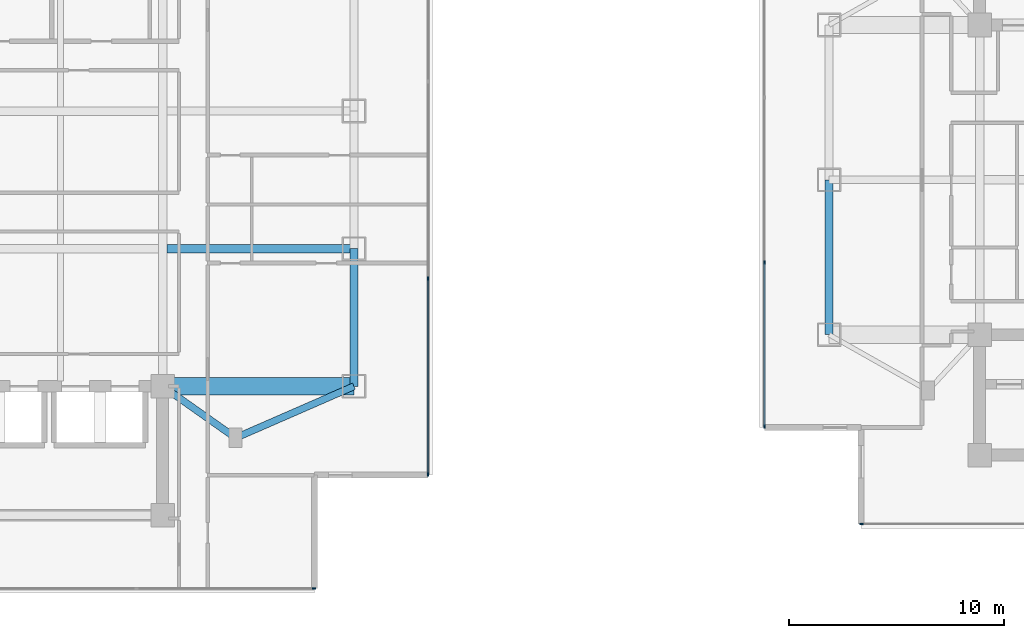
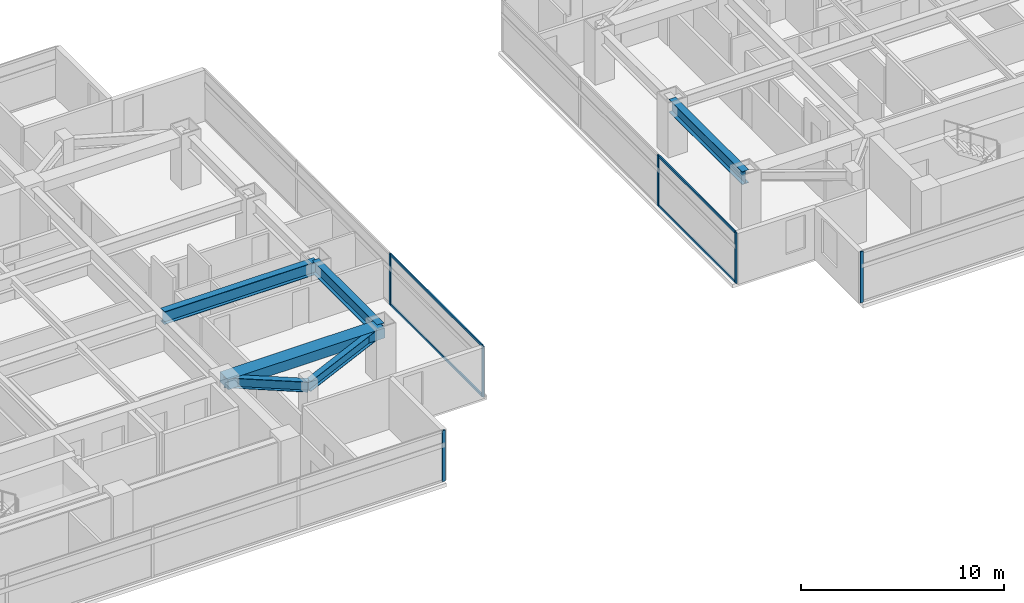
# One storey, part 5 of 24: 10 members, 6 beams, 4 elements without a shape of their own.
"""IFC4 building model written with IfcOpenShell, lengths in metres."""

from ifc_helpers import new_model, si_unit, direction, frame, origin, origin_2d, place, context, subcontext, project, spatial, rectangle, i_section, extrude, material, material_profile, profile_set, type_object, element, aggregate, save


model = new_model("IFC4")

# Units and contexts
model_context = context("Model", 3, precision=1e-05, world=origin(), true_north=direction((0.0, 1.0)))
body_context = subcontext(model_context, "Body", "Model", "MODEL_VIEW")
ifc_project = project(units=[si_unit("LENGTHUNIT", "METRE"), si_unit("AREAUNIT", "SQUARE_METRE"), si_unit("VOLUMEUNIT", "CUBIC_METRE"), si_unit("PLANEANGLEUNIT", "RADIAN"), si_unit("MASSUNIT", "GRAM", prefix="KILO")], contexts=[model_context])

# Site, building, storey
site_placement = place(None, origin())
site = spatial("IfcSite", under=ifc_project, at=site_placement, CompositionType="ELEMENT")
building_placement = place(site_placement, origin())
building = spatial("IfcBuilding", under=site, at=building_placement, Name="Mirazonda Arch Towers", CompositionType="ELEMENT")
storey_placement = place(building_placement, frame((0.0, 0.0, 141.199951171875)))
storey = spatial("IfcBuildingStorey", under=building, at=storey_placement, Name="L40", CompositionType="ELEMENT", Elevation=141.199951171875)

# Beams
ifc_material_1 = material(Name="Steel ASTM A992 Grade 50", Category="steel")
ifc_material_profile_1 = material_profile(ifc_material_1, i_section(OverallWidth=0.381103515625, OverallDepth=0.77294921875, WebThickness=0.0166015625, FlangeThickness=0.027099609375, at=origin_2d()), Name="W30X173")
ifc_profile_set_1 = profile_set([ifc_material_profile_1], Name="Steel ASTM A992 Grade 50")
beam_type_1 = type_object("IfcBeamType", Name="BM-EXT-W30X173", PredefinedType="USERDEFINED", material=ifc_profile_set_1)
beam_1_placement = place(storey_placement, frame((38.89990234375, 18.39990234375, 2.693603515625), z_axis=(0.0, 1.0, 0.0), x_axis=(-1.0, 0.0, 0.0)))
element("IfcBeam", 1, at=beam_1_placement, inside=storey, type_object=beam_type_1, Name="L40 Floor Beam BM-T1-L40-NS-E-18", ObjectType="GIRDER", PredefinedType="USERDEFINED", context=body_context, shape_type="SweptSolid", body=[
    extrude(i_section(OverallWidth=0.381103515625, OverallDepth=0.77294921875, WebThickness=0.0166015625, FlangeThickness=0.027099609375, at=origin_2d()), origin(), (0.0, 0.0, 1.0), 6.400146484375),
])
beam_2_placement = place(storey_placement, frame((61.0, 20.800048828125, 2.693603515625), z_axis=(0.0, 1.0, 0.0), x_axis=(-1.0, 0.0, 0.0)))
element("IfcBeam", 2, at=beam_2_placement, inside=storey, type_object=beam_type_1, Name="L40 Floor Beam BM-T2-L40-NS-W-20", ObjectType="GIRDER", PredefinedType="USERDEFINED", context=body_context, shape_type="SweptSolid", body=[
    extrude(i_section(OverallWidth=0.381103515625, OverallDepth=0.77294921875, WebThickness=0.0166015625, FlangeThickness=0.027099609375, at=origin_2d()), origin(), (0.0, 0.0, 1.0), 7.199951171875),
])
ifc_material_profile_2 = material_profile(ifc_material_1, i_section(OverallWidth=0.324951171875, OverallDepth=0.615966796875, WebThickness=0.013916015625, FlangeThickness=0.021484375, at=origin_2d()), Name="W24X117")
ifc_profile_set_2 = profile_set([ifc_material_profile_2], Name="Steel ASTM A992 Grade 50")
beam_type_2 = type_object("IfcBeamType", Name="BM-INT-W24X117", PredefinedType="BEAM", material=ifc_profile_set_2)
beam_3_placement = place(storey_placement, frame((33.39990234375, 16.0, 2.77197265625), z_axis=(-0.816971114901, 0.576678591087, 0.0), x_axis=(-0.576678591087, -0.816971114901, 0.0)))
element("IfcBeam", 3, at=beam_3_placement, inside=storey, type_object=beam_type_2, Name="L40 Floor Beam BM-T1-L40-PL-SE1", PredefinedType="BEAM", context=body_context, shape_type="SweptSolid", body=[
    extrude(i_section(OverallWidth=0.324951171875, OverallDepth=0.615966796875, WebThickness=0.013916015625, FlangeThickness=0.021484375, at=origin_2d()), origin(), (0.0, 0.0, 1.0), 4.16162109375),
])
beam_4_placement = place(storey_placement, frame((33.39990234375, 16.0, 2.77197265625), z_axis=(0.916545343703, 0.399930785183, 0.0), x_axis=(-0.399930785183, 0.916545343703, 0.0)))
element("IfcBeam", 4, at=beam_4_placement, inside=storey, type_object=beam_type_2, Name="L40 Floor Beam BM-T1-L40-PL-SE2", PredefinedType="BEAM", context=body_context, shape_type="SweptSolid", body=[
    extrude(i_section(OverallWidth=0.324951171875, OverallDepth=0.615966796875, WebThickness=0.013916015625, FlangeThickness=0.021484375, at=origin_2d()), origin(), (0.0, 0.0, 1.0), 6.000732421875),
])
ifc_material_profile_3 = material_profile(ifc_material_1, i_section(OverallWidth=0.381103515625, OverallDepth=0.77294921875, WebThickness=0.0166015625, FlangeThickness=0.027099609375, at=origin_2d()), Name="W30X173")
ifc_profile_set_3 = profile_set([ifc_material_profile_3], Name="Steel ASTM A992 Grade 50")
beam_type_3 = type_object("IfcBeamType", Name="BM-INT-W30X173", PredefinedType="USERDEFINED", material=ifc_profile_set_3)
beam_5_placement = place(storey_placement, frame((30.199951171875, 24.800048828125, 2.693603515625), z_axis=(1.0, 0.0, 0.0), x_axis=(0.0, 1.0, 0.0)))
element("IfcBeam", 5, at=beam_5_placement, inside=storey, type_object=beam_type_3, Name="L40 Floor Beam BM-T1-L40-GE2", ObjectType="GIRDER", PredefinedType="USERDEFINED", context=body_context, shape_type="SweptSolid", body=[
    extrude(i_section(OverallWidth=0.381103515625, OverallDepth=0.77294921875, WebThickness=0.0166015625, FlangeThickness=0.027099609375, at=origin_2d()), origin(), (0.0, 0.0, 1.0), 8.699951171875),
])
ifc_material_2 = material(Name="Concrete C60/75", Category="concrete")
ifc_material_profile_4 = material_profile(ifc_material_2, rectangle(XDim=0.800048828125, YDim=0.60009765625, at=origin_2d()), Name="RCCB800x600")
ifc_profile_set_4 = profile_set([ifc_material_profile_4], Name="Concrete C60/75")
beam_type_4 = type_object("IfcBeamType", Name="CB-INT-RCCB800x600", PredefinedType="SPANDREL", material=ifc_profile_set_4)
beam_6_placement = place(storey_placement, frame((30.0, 18.39990234375, 2.780029296875), z_axis=(1.0, 0.0, 0.0), x_axis=(0.0, 1.0, 0.0)))
element("IfcBeam", 6, at=beam_6_placement, inside=storey, type_object=beam_type_4, Name="L40 Floor Beam CBC-T1-L40-SE", PredefinedType="SPANDREL", context=body_context, shape_type="SweptSolid", body=[
    extrude(rectangle(XDim=0.800048828125, YDim=0.60009765625, at=origin_2d()), origin(), (0.0, 0.0, 1.0), 8.89990234375),
])

# Curtain wall, member
ifc_material_3 = material(Name="Anodised Aluminium and Low-E Glass", Category="aluminium")
curtain_wall_type = type_object("IfcCurtainWallType", Name="CW-HTL-UNIT", PredefinedType="NOTDEFINED", material=ifc_material_3)
curtain_wall_1_placement = place(storey_placement, origin())
curtain_wall_1 = element("IfcCurtainWall", 7, at=curtain_wall_1_placement, inside=storey, type_object=curtain_wall_type, Name="L40 T1 S Facade CW-L40-T1-S", PredefinedType="NOTDEFINED")
ifc_material_4 = material(Name="Anodised Aluminium Alloy", Category="aluminium")
ifc_material_profile_5 = material_profile(ifc_material_4, rectangle(XDim=0.074951171875, YDim=0.1650390625, at=origin_2d()), Name="ALU-MULL-75x165")
ifc_profile_set_5 = profile_set([ifc_material_profile_5], Name="Anodised Aluminium Alloy")
member_type_1 = type_object("IfcMemberType", Name="MULL-CW-HTL-UNIT", PredefinedType="MULLION", material=ifc_profile_set_5)
member_1_placement = place(storey_placement, frame((37.032470703125, 8.993896484375, 0.0), z_axis=(0.0, 0.0, 1.0), x_axis=(0.0, -1.0, 0.0)))
member_1 = element("IfcMember", 8, at=member_1_placement, type_object=member_type_1, Name="CW-112 mullion 1", PredefinedType="MULLION", context=body_context, shape_type="SweptSolid", body=[
    extrude(rectangle(XDim=0.074951171875, YDim=0.1650390625, at=origin_2d()), origin(), (0.0, 0.0, 1.0), 3.06005859375),
])
aggregate(curtain_wall_1, [member_1])

# Curtain wall, members
curtain_wall_2_placement = place(storey_placement, origin())
curtain_wall_2 = element("IfcCurtainWall", 9, at=curtain_wall_2_placement, inside=storey, type_object=curtain_wall_type, Name="L40 T1 E Facade CW-L40-T1-E", PredefinedType="NOTDEFINED")
member_2_placement = place(storey_placement, frame((42.340087890625, 14.301513671875, 0.0), z_axis=(0.0, 0.0, 1.0), x_axis=(-1.0, 0.0, 0.0)))
member_2 = element("IfcMember", 10, at=member_2_placement, type_object=member_type_1, Name="CW-112 mullion 1", PredefinedType="MULLION", context=body_context, shape_type="SweptSolid", body=[
    extrude(rectangle(XDim=0.074951171875, YDim=0.1650390625, at=origin_2d()), origin(), (0.0, 0.0, 1.0), 3.06005859375),
])
member_3_placement = place(storey_placement, frame((42.340087890625, 23.42138671875, 0.0), z_axis=(0.0, 0.0, 1.0), x_axis=(-1.0, 0.0, 0.0)))
member_3 = element("IfcMember", 11, at=member_3_placement, type_object=member_type_1, Name="CW-112 mullion 2", PredefinedType="MULLION", context=body_context, shape_type="SweptSolid", body=[
    extrude(rectangle(XDim=0.074951171875, YDim=0.1650390625, at=origin_2d()), origin(), (0.0, 0.0, 1.0), 3.06005859375),
])

# Curtain wall, member
curtain_wall_3_placement = place(storey_placement, origin())
curtain_wall_3 = element("IfcCurtainWall", 12, at=curtain_wall_3_placement, inside=storey, type_object=curtain_wall_type, Name="L40 T2 S Facade CW-L40-T2-S", PredefinedType="NOTDEFINED")
member_4_placement = place(storey_placement, frame((62.512939453125, 11.997802734375, 0.0), z_axis=(0.0, 0.0, 1.0), x_axis=(0.0, -1.0, 0.0)))
member_4 = element("IfcMember", 13, at=member_4_placement, type_object=member_type_1, Name="CW-112 mullion 4", PredefinedType="MULLION", context=body_context, shape_type="SweptSolid", body=[
    extrude(rectangle(XDim=0.074951171875, YDim=0.1650390625, at=origin_2d()), origin(), (0.0, 0.0, 1.0), 3.06005859375),
])
aggregate(curtain_wall_3, [member_4])

# Curtain wall, members
curtain_wall_4_placement = place(storey_placement, origin())
curtain_wall_4 = element("IfcCurtainWall", 14, at=curtain_wall_4_placement, inside=storey, type_object=curtain_wall_type, Name="L40 T2 W Facade CW-L40-T2-W", PredefinedType="NOTDEFINED")
member_5_placement = place(storey_placement, frame((57.989013671875, 24.161376953125, 0.0), z_axis=(0.0, 0.0, 1.0), x_axis=(1.0, 0.0, 0.0)))
member_5 = element("IfcMember", 15, at=member_5_placement, type_object=member_type_1, Name="CW-112 mullion 3", PredefinedType="MULLION", context=body_context, shape_type="SweptSolid", body=[
    extrude(rectangle(XDim=0.074951171875, YDim=0.1650390625, at=origin_2d()), origin(), (0.0, 0.0, 1.0), 3.06005859375),
])
member_6_placement = place(storey_placement, frame((57.989013671875, 16.52197265625, 0.0), z_axis=(0.0, 0.0, 1.0), x_axis=(1.0, 0.0, 0.0)))
member_6 = element("IfcMember", 16, at=member_6_placement, type_object=member_type_1, Name="CW-112 mullion 4", PredefinedType="MULLION", context=body_context, shape_type="SweptSolid", body=[
    extrude(rectangle(XDim=0.074951171875, YDim=0.1650390625, at=origin_2d()), origin(), (0.0, 0.0, 1.0), 3.06005859375),
])

# Member
ifc_material_profile_6 = material_profile(ifc_material_4, rectangle(XDim=0.074951171875, YDim=0.14501953125, at=origin_2d()), Name="ALU-TRAN-75x145")
ifc_profile_set_6 = profile_set([ifc_material_profile_6], Name="Anodised Aluminium Alloy")
member_type_2 = type_object("IfcMemberType", Name="TRAN-CW-HTL-UNIT", PredefinedType="USERDEFINED", material=ifc_profile_set_6)
member_7_placement = place(storey_placement, frame((42.340087890625, 14.339111328125, 0.03759765625), z_axis=(0.0, 1.0, 0.0), x_axis=(-1.0, 0.0, 0.0)))
member_7 = element("IfcMember", 17, at=member_7_placement, type_object=member_type_2, Name="CW-112 transom 1.1", ObjectType="TRANSOM", PredefinedType="USERDEFINED", context=body_context, shape_type="SweptSolid", body=[
    extrude(rectangle(XDim=0.074951171875, YDim=0.14501953125, at=origin_2d()), origin(), (0.0, 0.0, 1.0), 9.044677734375),
])

member_8_placement = place(storey_placement, frame((42.340087890625, 14.339111328125, 3.0224609375), z_axis=(0.0, 1.0, 0.0), x_axis=(-1.0, 0.0, 0.0)))
member_8 = element("IfcMember", 18, at=member_8_placement, type_object=member_type_2, Name="CW-112 transom 1.2", ObjectType="TRANSOM", PredefinedType="USERDEFINED", context=body_context, shape_type="SweptSolid", body=[
    extrude(rectangle(XDim=0.074951171875, YDim=0.14501953125, at=origin_2d()), origin(), (0.0, 0.0, 1.0), 9.044677734375),
])

aggregate(curtain_wall_2, [member_2, member_3, member_7, member_8])

member_9_placement = place(storey_placement, frame((57.989013671875, 24.1240234375, 0.03759765625), z_axis=(0.0, -1.0, 0.0), x_axis=(1.0, 0.0, 0.0)))
member_9 = element("IfcMember", 19, at=member_9_placement, type_object=member_type_2, Name="CW-112 transom 3.1", ObjectType="TRANSOM", PredefinedType="USERDEFINED", context=body_context, shape_type="SweptSolid", body=[
    extrude(rectangle(XDim=0.074951171875, YDim=0.14501953125, at=origin_2d()), origin(), (0.0, 0.0, 1.0), 7.564697265625),
])

member_10_placement = place(storey_placement, frame((57.989013671875, 24.1240234375, 3.0224609375), z_axis=(0.0, -1.0, 0.0), x_axis=(1.0, 0.0, 0.0)))
member_10 = element("IfcMember", 20, at=member_10_placement, type_object=member_type_2, Name="CW-112 transom 3.2", ObjectType="TRANSOM", PredefinedType="USERDEFINED", context=body_context, shape_type="SweptSolid", body=[
    extrude(rectangle(XDim=0.074951171875, YDim=0.14501953125, at=origin_2d()), origin(), (0.0, 0.0, 1.0), 7.564697265625),
])

aggregate(curtain_wall_4, [member_5, member_6, member_9, member_10])

save(model, "model.ifc")
